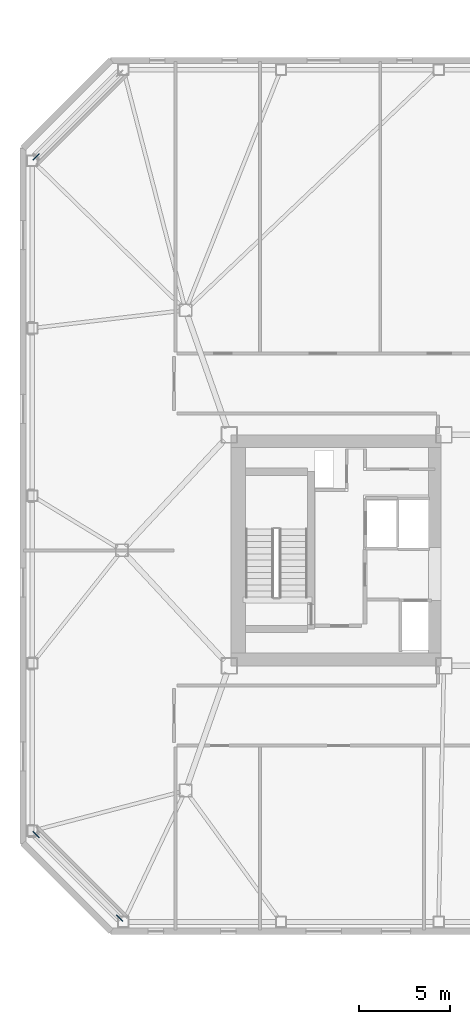
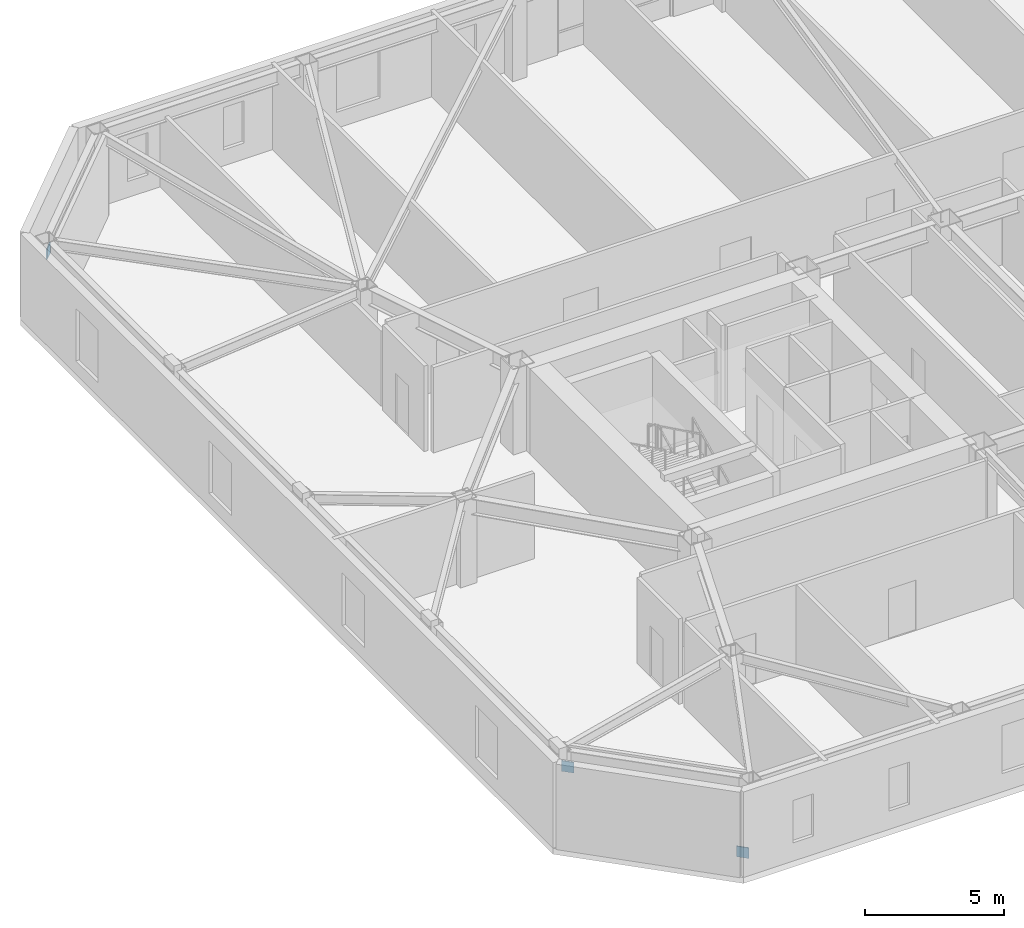
# One storey, part 15 of 18: 3 discrete accessories.
"""IFC4 building model written with IfcOpenShell, lengths in metres."""

import ifcopenshell
import ifcopenshell.guid

model = None  # the IFC model being written
_history = None  # IfcOwnerHistory: only IFC2X3 demands one
_inside = {}  # id of a spatial element -> (the spatial element, [elements in it])
_under = {}  # id of a project, library or spatial element -> (it, [spatial elements below it])
_declared = {}  # id of a project -> (the project, [libraries it declares])
_typed = {}  # id of a type object -> (the type object, [elements of that type])
_made_of = {}  # id of a material, layer set ... -> (it, [elements and type objects made of it])


def new_model(schema):
    """Start an empty IFC model of exactly this schema.

    Asked for "IFC4X3", IfcOpenShell would pick the latest addendum, in which some entities
    have other attributes; the version numbers below select the first issue.
    IFC2X3 requires an IfcOwnerHistory on every rooted entity: one is made here for all.
    """
    global model, _history
    if schema == "IFC4X3":
        model = ifcopenshell.file(schema_version=(4, 3, 0, 0))
    else:
        model = ifcopenshell.file(schema=schema)
    _inside.clear()
    _under.clear()
    _declared.clear()
    _typed.clear()
    _made_of.clear()
    _history = None
    if model.schema == "IFC2X3":
        org = make("IfcOrganization", Name="unknown")
        user = make(
            "IfcPersonAndOrganization",
            ThePerson=make("IfcPerson", FamilyName="unknown"),
            TheOrganization=org,
        )
        app = make(
            "IfcApplication",
            ApplicationDeveloper=org,
            Version="unknown",
            ApplicationFullName="unknown",
            ApplicationIdentifier="unknown",
        )
        _history = make(
            "IfcOwnerHistory",
            OwningUser=user,
            OwningApplication=app,
            ChangeAction="ADDED",
            CreationDate=0,
        )
    return model


def make(cls, **values):
    """One entity of the class cls with the attributes given. An attribute that is None is left unset."""
    return model.create_entity(
        cls, **{name: value for name, value in values.items() if value is not None}
    )


def rooted(cls, **values):
    """An entity with a GlobalId (a new one), such as an element, a storey or a relation."""
    return make(cls, GlobalId=ifcopenshell.guid.new(), OwnerHistory=_history, **values)


def si_unit(unit_type, name, prefix=None):
    """IfcSIUnit, for example si_unit("LENGTHUNIT", "METRE", prefix="MILLI")."""
    return make("IfcSIUnit", UnitType=unit_type, Prefix=prefix, Name=name)


def assignment(units):
    """IfcUnitAssignment: the units of a project."""
    return None if units is None else make("IfcUnitAssignment", Units=units)


def point(xyz):
    """IfcCartesianPoint."""
    return None if xyz is None else make("IfcCartesianPoint", Coordinates=xyz)


def direction(xyz):
    """IfcDirection."""
    return None if xyz is None else make("IfcDirection", DirectionRatios=xyz)


def frame(location, z_axis=None, x_axis=None):
    """IfcAxis2Placement3D, a coordinate frame: its origin and axes. An axis left out is left unset."""
    return make(
        "IfcAxis2Placement3D",
        Location=point(location),
        Axis=direction(z_axis),
        RefDirection=direction(x_axis),
    )


def frame_2d(location, x_axis=None):
    """IfcAxis2Placement2D, a coordinate frame in the plane: its origin and x axis."""
    return make(
        "IfcAxis2Placement2D", Location=point(location), RefDirection=direction(x_axis)
    )


def origin():
    """The frame at (0, 0, 0) with its axes left unset."""
    return frame((0.0, 0.0, 0.0))


def origin_2d():
    """The frame at (0, 0) in the plane with its x axis left unset."""
    return frame_2d((0.0, 0.0))


def place(relative_to, where):
    """IfcLocalPlacement: puts the frame where relative to a parent placement (None: the world)."""
    return make(
        "IfcLocalPlacement", PlacementRelTo=relative_to, RelativePlacement=where
    )


def context(
    kind, dimensions, precision=None, world=None, true_north=None, identifier=None
):
    """IfcGeometricRepresentationContext, for example the 3D "Model" context."""
    return make(
        "IfcGeometricRepresentationContext",
        ContextIdentifier=identifier,
        ContextType=kind,
        CoordinateSpaceDimension=dimensions,
        Precision=precision,
        WorldCoordinateSystem=world,
        TrueNorth=true_north,
    )


def subcontext(parent, identifier, kind, view, scale=None):
    """IfcGeometricRepresentationSubContext, for example "Body" below "Model"."""
    return make(
        "IfcGeometricRepresentationSubContext",
        ContextIdentifier=identifier,
        ContextType=kind,
        ParentContext=parent,
        TargetScale=scale,
        TargetView=view,
    )


def project(units=None, contexts=None):
    """IfcProject with its units and contexts."""
    return rooted(
        "IfcProject",
        Name="project",
        RepresentationContexts=contexts,
        UnitsInContext=assignment(units),
    )


def spatial(cls, under=None, at=None, **own):
    """A site, building, storey or space (cls), placed at a placement, below another one or the project."""
    s = rooted(cls, ObjectPlacement=at, **own)
    if under is not None:
        _under.setdefault(under.id(), (under, []))[1].append(s)
    return s


def profile(cls, at=None, kind="AREA", **sizes):
    """A parametric profile (cls). Its sizes go by their IFC names, for example OverallWidth=200.0."""
    return make(cls, ProfileType=kind, Position=at, **sizes)


def rectangle(**sizes):
    """IfcRectangleProfileDef."""
    return profile("IfcRectangleProfileDef", **sizes)


def extrude(swept, where, along, depth):
    """IfcExtrudedAreaSolid: the profile swept, set in the frame where, extruded along a direction by depth."""
    return make(
        "IfcExtrudedAreaSolid",
        SweptArea=swept,
        Position=where,
        ExtrudedDirection=direction(along),
        Depth=depth,
    )


def shape(context_of_items, identifier, shape_type, items):
    """IfcShapeRepresentation: the items that make up one representation, for example the "Body"."""
    return make(
        "IfcShapeRepresentation",
        ContextOfItems=context_of_items,
        RepresentationIdentifier=identifier,
        RepresentationType=shape_type,
        Items=items,
    )


def material(Name=None, Category=None):
    """IfcMaterial."""
    return make("IfcMaterial", Name=Name, Category=Category)


def made_of(thing, what):
    """Note that an element or type object is made of a material, layer set ...; save() writes the relation."""
    if what is not None:
        _made_of.setdefault(what.id(), (what, []))[1].append(thing)
    return thing


def type_object(cls, material=None, **own):
    """A type object (cls), such as IfcWallType, which elements share."""
    return made_of(rooted(cls, **own), material)


def element(
    cls,
    number,
    at=None,
    inside=None,
    cuts=None,
    type_object=None,
    material=None,
    context=None,
    identifier="Body",
    shape_type=None,
    held_by="IfcProductDefinitionShape",
    body=None,
    shapes=None,
    **own,
):
    """One element of the class cls, such as IfcWall. Its Tag is "e" and its number.

    at: its placement. inside: the storey or other place that contains it. cuts: it is an
    opening in that element (IfcRelVoidsElement). A single representation is given by context,
    identifier, shape_type and body (its items); several are given by shapes. held_by: the class
    of the entity that holds the representations. save() writes the other relations.
    """
    e = rooted(cls, Tag="e%d" % number, ObjectPlacement=at, **own)
    if body is not None:
        shapes = [shape(context, identifier, shape_type, body)]
    if shapes is not None:
        e.Representation = make(held_by, Representations=shapes)
    if inside is not None:
        _inside.setdefault(inside.id(), (inside, []))[1].append(e)
    if cuts is not None:
        rooted(
            "IfcRelVoidsElement", RelatingBuildingElement=cuts, RelatedOpeningElement=e
        )
    if type_object is not None:
        _typed.setdefault(type_object.id(), (type_object, []))[1].append(e)
    return made_of(e, material)


def aggregate(whole, parts):
    """IfcRelAggregates: a whole, such as a stair, and the parts it consists of."""
    return rooted("IfcRelAggregates", RelatingObject=whole, RelatedObjects=parts)


def save(model, path):
    """Write the relations noted so far, then the file.

    IfcRelAggregates (storeys below a building ...), IfcRelContainedInSpatialStructure (elements
    in a storey), IfcRelDefinesByType, IfcRelAssociatesMaterial and IfcRelDeclares: one each for
    every whole, place, type object, material and project.
    """
    for whole, parts in _under.values():
        aggregate(whole, parts)
    for where, things in _inside.values():
        rooted(
            "IfcRelContainedInSpatialStructure",
            RelatedElements=things,
            RelatingStructure=where,
        )
    for kind, things in _typed.values():
        rooted("IfcRelDefinesByType", RelatedObjects=things, RelatingType=kind)
    for what, things in _made_of.values():
        rooted("IfcRelAssociatesMaterial", RelatedObjects=things, RelatingMaterial=what)
    for by, libraries in _declared.values():
        rooted("IfcRelDeclares", RelatingContext=by, RelatedDefinitions=libraries)
    model.write(path)


model = new_model("IFC4")

# Units and contexts
model_context = context("Model", 3, precision=1e-05, world=origin(), true_north=direction((0.0, 1.0)))
body_context = subcontext(model_context, "Body", "Model", "MODEL_VIEW")
ifc_project = project(units=[si_unit("LENGTHUNIT", "METRE"), si_unit("AREAUNIT", "SQUARE_METRE"), si_unit("VOLUMEUNIT", "CUBIC_METRE"), si_unit("PLANEANGLEUNIT", "RADIAN"), si_unit("MASSUNIT", "GRAM", prefix="KILO")], contexts=[model_context])

# Site, building, storey
site_placement = place(None, origin())
site = spatial("IfcSite", under=ifc_project, at=site_placement, CompositionType="ELEMENT")
building_placement = place(site_placement, origin())
building = spatial("IfcBuilding", under=site, at=building_placement, Name="Tavrogorsk Clinical Tower", CompositionType="ELEMENT")
storey_placement = place(building_placement, frame((0.0, 0.0, 184.199951171875)))
storey = spatial("IfcBuildingStorey", under=building, at=storey_placement, Name="L42", CompositionType="ELEMENT", Elevation=184.199951171875)

# Discrete accessories
ifc_material = material(Name="Structural steel S440", Category="steel")
discrete_accessory_type = type_object("IfcDiscreteAccessoryType", Name="GussetPlateBracket_25", PredefinedType="BRACKET", material=ifc_material)
for number, where, z_axis, x_axis, name in (
    (1, (-32.717529296875, 21.62255859375, 2.7470703125), (0.0, 0.0, 1.0), (-0.707106781187, -0.707106781187, 0.0), "L42 Brace Gusset Plate EXOCRN-L42-3-B"),
    (2, (-28.12255859375, -20.217529296875, 0.18310546875), (0.0, 0.0, 1.0), (-0.707106781187, 0.707106781187, 0.0), "L42 Brace Gusset Plate EXOCRN-L42-4-A"),
    (3, (-32.717529296875, -15.62255859375, 2.7470703125), (0.0, 0.0, 1.0), (-0.707106781187, 0.707106781187, 0.0), "L42 Brace Gusset Plate EXOCRN-L42-4-B"),
):
    element("IfcDiscreteAccessory", number, at=place(storey_placement, frame(where, z_axis=z_axis, x_axis=x_axis)), inside=storey, type_object=discrete_accessory_type, Name=name, PredefinedType="BRACKET", context=body_context, shape_type="SweptSolid", body=[
        extrude(rectangle(XDim=0.4599609375, YDim=0.0400390625, at=origin_2d()), origin(), (0.0, 0.0, 1.0), 0.4599609375),
    ])

save(model, "model.ifc")
